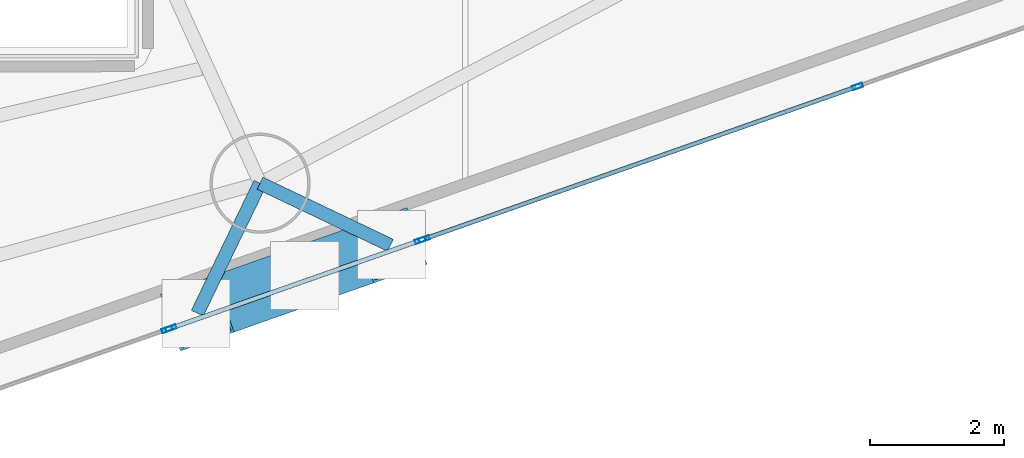
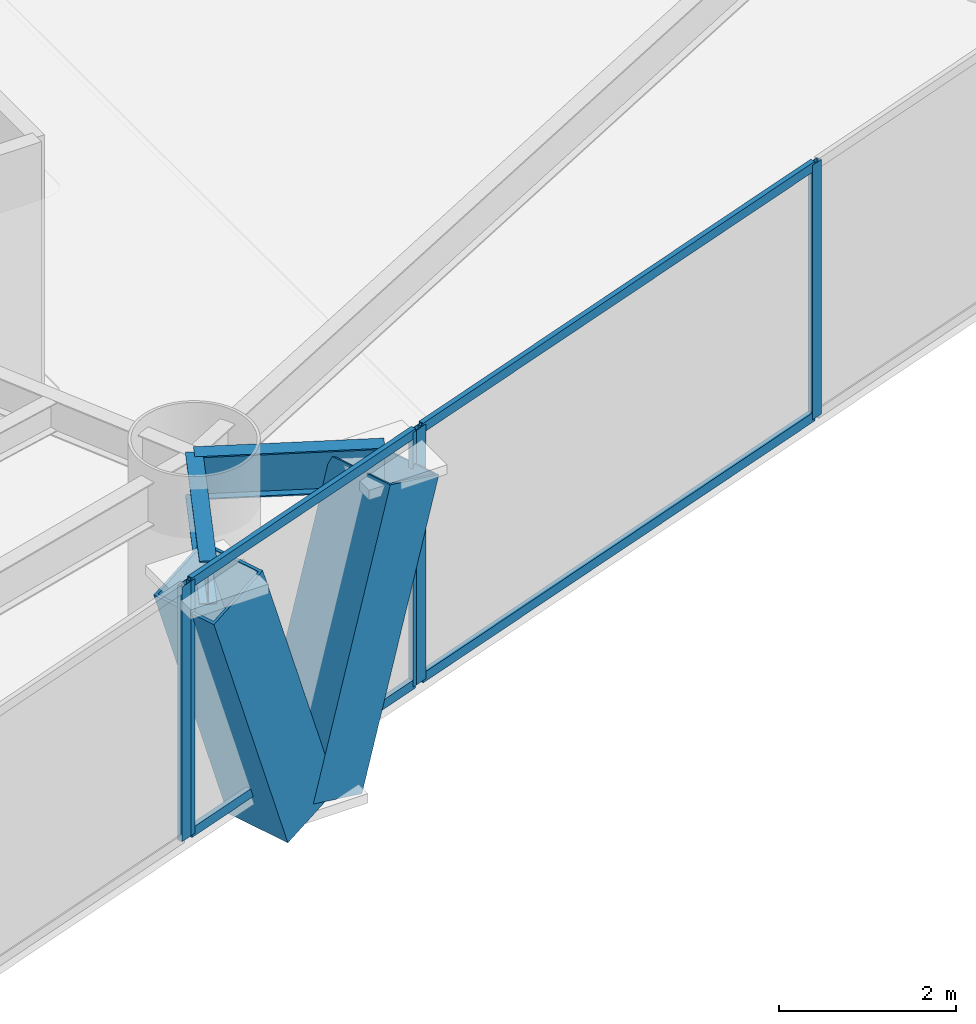
# One storey, part 4 of 19: 11 members, 2 beams, 3 elements without a shape of their own.
"""IFC4 building model written with IfcOpenShell, lengths in metres."""

import ifcopenshell
import ifcopenshell.guid

model = None  # the IFC model being written
_history = None  # IfcOwnerHistory: only IFC2X3 demands one
_inside = {}  # id of a spatial element -> (the spatial element, [elements in it])
_under = {}  # id of a project, library or spatial element -> (it, [spatial elements below it])
_declared = {}  # id of a project -> (the project, [libraries it declares])
_typed = {}  # id of a type object -> (the type object, [elements of that type])
_made_of = {}  # id of a material, layer set ... -> (it, [elements and type objects made of it])


def new_model(schema):
    """Start an empty IFC model of exactly this schema.

    Asked for "IFC4X3", IfcOpenShell would pick the latest addendum, in which some entities
    have other attributes; the version numbers below select the first issue.
    IFC2X3 requires an IfcOwnerHistory on every rooted entity: one is made here for all.
    """
    global model, _history
    if schema == "IFC4X3":
        model = ifcopenshell.file(schema_version=(4, 3, 0, 0))
    else:
        model = ifcopenshell.file(schema=schema)
    _inside.clear()
    _under.clear()
    _declared.clear()
    _typed.clear()
    _made_of.clear()
    _history = None
    if model.schema == "IFC2X3":
        org = make("IfcOrganization", Name="unknown")
        user = make(
            "IfcPersonAndOrganization",
            ThePerson=make("IfcPerson", FamilyName="unknown"),
            TheOrganization=org,
        )
        app = make(
            "IfcApplication",
            ApplicationDeveloper=org,
            Version="unknown",
            ApplicationFullName="unknown",
            ApplicationIdentifier="unknown",
        )
        _history = make(
            "IfcOwnerHistory",
            OwningUser=user,
            OwningApplication=app,
            ChangeAction="ADDED",
            CreationDate=0,
        )
    return model


def make(cls, **values):
    """One entity of the class cls with the attributes given. An attribute that is None is left unset."""
    return model.create_entity(
        cls, **{name: value for name, value in values.items() if value is not None}
    )


def rooted(cls, **values):
    """An entity with a GlobalId (a new one), such as an element, a storey or a relation."""
    return make(cls, GlobalId=ifcopenshell.guid.new(), OwnerHistory=_history, **values)


def si_unit(unit_type, name, prefix=None):
    """IfcSIUnit, for example si_unit("LENGTHUNIT", "METRE", prefix="MILLI")."""
    return make("IfcSIUnit", UnitType=unit_type, Prefix=prefix, Name=name)


def assignment(units):
    """IfcUnitAssignment: the units of a project."""
    return None if units is None else make("IfcUnitAssignment", Units=units)


def point(xyz):
    """IfcCartesianPoint."""
    return None if xyz is None else make("IfcCartesianPoint", Coordinates=xyz)


def direction(xyz):
    """IfcDirection."""
    return None if xyz is None else make("IfcDirection", DirectionRatios=xyz)


def frame(location, z_axis=None, x_axis=None):
    """IfcAxis2Placement3D, a coordinate frame: its origin and axes. An axis left out is left unset."""
    return make(
        "IfcAxis2Placement3D",
        Location=point(location),
        Axis=direction(z_axis),
        RefDirection=direction(x_axis),
    )


def frame_2d(location, x_axis=None):
    """IfcAxis2Placement2D, a coordinate frame in the plane: its origin and x axis."""
    return make(
        "IfcAxis2Placement2D", Location=point(location), RefDirection=direction(x_axis)
    )


def origin():
    """The frame at (0, 0, 0) with its axes left unset."""
    return frame((0.0, 0.0, 0.0))


def origin_2d():
    """The frame at (0, 0) in the plane with its x axis left unset."""
    return frame_2d((0.0, 0.0))


def place(relative_to, where):
    """IfcLocalPlacement: puts the frame where relative to a parent placement (None: the world)."""
    return make(
        "IfcLocalPlacement", PlacementRelTo=relative_to, RelativePlacement=where
    )


def context(
    kind, dimensions, precision=None, world=None, true_north=None, identifier=None
):
    """IfcGeometricRepresentationContext, for example the 3D "Model" context."""
    return make(
        "IfcGeometricRepresentationContext",
        ContextIdentifier=identifier,
        ContextType=kind,
        CoordinateSpaceDimension=dimensions,
        Precision=precision,
        WorldCoordinateSystem=world,
        TrueNorth=true_north,
    )


def subcontext(parent, identifier, kind, view, scale=None):
    """IfcGeometricRepresentationSubContext, for example "Body" below "Model"."""
    return make(
        "IfcGeometricRepresentationSubContext",
        ContextIdentifier=identifier,
        ContextType=kind,
        ParentContext=parent,
        TargetScale=scale,
        TargetView=view,
    )


def project(units=None, contexts=None):
    """IfcProject with its units and contexts."""
    return rooted(
        "IfcProject",
        Name="project",
        RepresentationContexts=contexts,
        UnitsInContext=assignment(units),
    )


def spatial(cls, under=None, at=None, **own):
    """A site, building, storey or space (cls), placed at a placement, below another one or the project."""
    s = rooted(cls, ObjectPlacement=at, **own)
    if under is not None:
        _under.setdefault(under.id(), (under, []))[1].append(s)
    return s


def profile(cls, at=None, kind="AREA", **sizes):
    """A parametric profile (cls). Its sizes go by their IFC names, for example OverallWidth=200.0."""
    return make(cls, ProfileType=kind, Position=at, **sizes)


def hollow_rectangle(**sizes):
    """IfcRectangleHollowProfileDef."""
    return profile("IfcRectangleHollowProfileDef", **sizes)


def i_section(**sizes):
    """IfcIShapeProfileDef."""
    return profile("IfcIShapeProfileDef", **sizes)


def extrude(swept, where, along, depth):
    """IfcExtrudedAreaSolid: the profile swept, set in the frame where, extruded along a direction by depth."""
    return make(
        "IfcExtrudedAreaSolid",
        SweptArea=swept,
        Position=where,
        ExtrudedDirection=direction(along),
        Depth=depth,
    )


def shape(context_of_items, identifier, shape_type, items):
    """IfcShapeRepresentation: the items that make up one representation, for example the "Body"."""
    return make(
        "IfcShapeRepresentation",
        ContextOfItems=context_of_items,
        RepresentationIdentifier=identifier,
        RepresentationType=shape_type,
        Items=items,
    )


def material(Name=None, Category=None):
    """IfcMaterial."""
    return make("IfcMaterial", Name=Name, Category=Category)


def layer(
    of_material, thickness, ventilated=None, Name=None, Category=None, Priority=None
):
    """IfcMaterialLayer: one layer of a wall or slab, of a material (None: an air gap)."""
    return make(
        "IfcMaterialLayer",
        Material=of_material,
        LayerThickness=thickness,
        IsVentilated=ventilated,
        Name=Name,
        Category=Category,
        Priority=Priority,
    )


def layer_set(layers, Name=None):
    """IfcMaterialLayerSet."""
    return make("IfcMaterialLayerSet", MaterialLayers=layers, LayerSetName=Name)


def material_profile(
    of_material, cross_section, Name=None, Category=None, Priority=None
):
    """IfcMaterialProfile: a cross section and its material."""
    return make(
        "IfcMaterialProfile",
        Name=Name,
        Material=of_material,
        Profile=cross_section,
        Priority=Priority,
        Category=Category,
    )


def profile_set(profiles, Name=None, composite=None):
    """IfcMaterialProfileSet."""
    return make(
        "IfcMaterialProfileSet",
        Name=Name,
        MaterialProfiles=profiles,
        CompositeProfile=composite,
    )


def made_of(thing, what):
    """Note that an element or type object is made of a material, layer set ...; save() writes the relation."""
    if what is not None:
        _made_of.setdefault(what.id(), (what, []))[1].append(thing)
    return thing


def type_object(cls, material=None, **own):
    """A type object (cls), such as IfcWallType, which elements share."""
    return made_of(rooted(cls, **own), material)


def element(
    cls,
    number,
    at=None,
    inside=None,
    cuts=None,
    type_object=None,
    material=None,
    context=None,
    identifier="Body",
    shape_type=None,
    held_by="IfcProductDefinitionShape",
    body=None,
    shapes=None,
    **own,
):
    """One element of the class cls, such as IfcWall. Its Tag is "e" and its number.

    at: its placement. inside: the storey or other place that contains it. cuts: it is an
    opening in that element (IfcRelVoidsElement). A single representation is given by context,
    identifier, shape_type and body (its items); several are given by shapes. held_by: the class
    of the entity that holds the representations. save() writes the other relations.
    """
    e = rooted(cls, Tag="e%d" % number, ObjectPlacement=at, **own)
    if body is not None:
        shapes = [shape(context, identifier, shape_type, body)]
    if shapes is not None:
        e.Representation = make(held_by, Representations=shapes)
    if inside is not None:
        _inside.setdefault(inside.id(), (inside, []))[1].append(e)
    if cuts is not None:
        rooted(
            "IfcRelVoidsElement", RelatingBuildingElement=cuts, RelatedOpeningElement=e
        )
    if type_object is not None:
        _typed.setdefault(type_object.id(), (type_object, []))[1].append(e)
    return made_of(e, material)


def aggregate(whole, parts):
    """IfcRelAggregates: a whole, such as a stair, and the parts it consists of."""
    return rooted("IfcRelAggregates", RelatingObject=whole, RelatedObjects=parts)


def save(model, path):
    """Write the relations noted so far, then the file.

    IfcRelAggregates (storeys below a building ...), IfcRelContainedInSpatialStructure (elements
    in a storey), IfcRelDefinesByType, IfcRelAssociatesMaterial and IfcRelDeclares: one each for
    every whole, place, type object, material and project.
    """
    for whole, parts in _under.values():
        aggregate(whole, parts)
    for where, things in _inside.values():
        rooted(
            "IfcRelContainedInSpatialStructure",
            RelatedElements=things,
            RelatingStructure=where,
        )
    for kind, things in _typed.values():
        rooted("IfcRelDefinesByType", RelatedObjects=things, RelatingType=kind)
    for what, things in _made_of.values():
        rooted("IfcRelAssociatesMaterial", RelatedObjects=things, RelatingMaterial=what)
    for by, libraries in _declared.values():
        rooted("IfcRelDeclares", RelatingContext=by, RelatedDefinitions=libraries)
    model.write(path)


model = new_model("IFC4")

# Units and contexts
model_context = context("Model", 3, precision=1e-05, world=origin(), true_north=direction((0.0, 1.0)))
body_context = subcontext(model_context, "Body", "Model", "MODEL_VIEW")
ifc_project = project(units=[si_unit("LENGTHUNIT", "METRE"), si_unit("AREAUNIT", "SQUARE_METRE"), si_unit("VOLUMEUNIT", "CUBIC_METRE"), si_unit("PLANEANGLEUNIT", "RADIAN"), si_unit("MASSUNIT", "GRAM", prefix="KILO")], contexts=[model_context])

# Site, building, storey
site_placement = place(None, origin())
site = spatial("IfcSite", under=ifc_project, at=site_placement, CompositionType="ELEMENT")
building_placement = place(site_placement, origin())
building = spatial("IfcBuilding", under=site, at=building_placement, Name="Qianvela Tower", CompositionType="ELEMENT")
storey_placement = place(building_placement, frame((0.0, 0.0, 123.699951171875)))
storey = spatial("IfcBuildingStorey", under=building, at=storey_placement, Name="L31", CompositionType="ELEMENT", Elevation=123.699951171875)

# Beams
ifc_material_1 = material(Name="Steel Q355B", Category="steel")
ifc_material_profile_1 = material_profile(ifc_material_1, i_section(OverallWidth=0.199951171875, OverallDepth=0.60009765625, WebThickness=0.010986328125, FlangeThickness=0.01708984375, at=origin_2d()), Name="HN600x200x11x17")
ifc_profile_set_1 = profile_set([ifc_material_profile_1], Name="Steel Q355B")
beam_type = type_object("IfcBeamType", Name="BM-HN600-GIRD", PredefinedType="BEAM", material=ifc_profile_set_1)
beam_1_placement = place(storey_placement, frame((41.988037109375, 15.95703125, 3.218017578125), z_axis=(-0.43452168461, -0.900661371218, 0.0), x_axis=(0.900661371218, -0.43452168461, 0.0)))
element("IfcBeam", 1, at=beam_1_placement, inside=storey, type_object=beam_type, Name="L31 Mega-Brace Column Tie Bracket F3-1", PredefinedType="BEAM", context=body_context, shape_type="SweptSolid", body=[
    extrude(i_section(OverallWidth=0.199951171875, OverallDepth=0.60009765625, WebThickness=0.010986328125, FlangeThickness=0.01708984375, at=origin_2d()), origin(), (0.0, 0.0, 1.0), 2.162109375),
])
beam_2_placement = place(storey_placement, frame((41.988037109375, 15.95703125, 3.218017578125), z_axis=(0.902866780961, -0.429920429658, 0.0), x_axis=(0.429920429658, 0.902866780961, 0.0)))
element("IfcBeam", 2, at=beam_2_placement, inside=storey, type_object=beam_type, Name="L31 Mega-Brace Column Tie Bracket F3-2", PredefinedType="BEAM", context=body_context, shape_type="SweptSolid", body=[
    extrude(i_section(OverallWidth=0.199951171875, OverallDepth=0.60009765625, WebThickness=0.010986328125, FlangeThickness=0.01708984375, at=origin_2d()), origin(), (0.0, 0.0, 1.0), 2.161865234375),
])

# Curtain wall, members
ifc_material_2 = material(Name="Anodised Architectural Aluminium and Insulated Spandrel Panel", Category="aluminium")
ifc_layer_1 = layer(ifc_material_2, 0.179931640625)
ifc_layer_set_1 = layer_set([ifc_layer_1], Name="Anodised Architectural Aluminium and Insulated Spandrel Panel")
curtain_wall_type_1 = type_object("IfcCurtainWallType", Name="CW-BRACEBAY", PredefinedType="USERDEFINED", material=ifc_layer_set_1)
curtain_wall_1_placement = place(storey_placement, origin())
curtain_wall_1 = element("IfcCurtainWall", 3, at=curtain_wall_1_placement, inside=storey, type_object=curtain_wall_type_1, Name="L31 CW-BRACEBAY Curtain Wall 06B", ObjectType="CURTAIN_WALL_SYSTEM", PredefinedType="USERDEFINED")
ifc_material_3 = material(Name="Anodised Architectural Aluminium 6063-T6", Category="aluminium")
ifc_material_profile_2 = material_profile(ifc_material_3, hollow_rectangle(XDim=0.06494140625, YDim=0.159912109375, WallThickness=0.0048828125, at=origin_2d()), Name="ALU-MULL-65x160")
ifc_profile_set_2 = profile_set([ifc_material_profile_2], Name="Anodised Architectural Aluminium 6063-T6")
member_type_1 = type_object("IfcMemberType", Name="CW-BRACEBAY-MULL", PredefinedType="MULLION", material=ifc_profile_set_2)
member_1_placement = place(storey_placement, frame((40.65576171875, 13.786865234375, 0.0), z_axis=(0.0, 0.0, 1.0), x_axis=(-0.332041890074, 0.943264641146, 0.0)))
member_1 = element("IfcMember", 4, at=member_1_placement, type_object=member_type_1, Name="CW-9 mullion 1", PredefinedType="MULLION", context=body_context, shape_type="SweptSolid", body=[
    extrude(hollow_rectangle(XDim=0.06494140625, YDim=0.159912109375, WallThickness=0.0048828125, at=origin_2d()), origin(), (0.0, 0.0, 1.0), 3.52001953125),
])
member_2_placement = place(storey_placement, frame((44.386474609375, 15.10009765625, 0.0), z_axis=(0.0, 0.0, 1.0), x_axis=(-0.332041890074, 0.943264641146, 0.0)))
member_2 = element("IfcMember", 5, at=member_2_placement, type_object=member_type_1, Name="CW-9 mullion 2", PredefinedType="MULLION", context=body_context, shape_type="SweptSolid", body=[
    extrude(hollow_rectangle(XDim=0.06494140625, YDim=0.159912109375, WallThickness=0.0048828125, at=origin_2d()), origin(), (0.0, 0.0, 1.0), 3.52001953125),
])
ifc_material_4 = material(Name="Anodised Architectural Aluminium 6063-T6", Category="aluminium")
ifc_material_profile_3 = material_profile(ifc_material_4, hollow_rectangle(XDim=0.06494140625, YDim=0.1298828125, WallThickness=0.00439453125, at=origin_2d()), Name="ALU-TRAN-65x130")
ifc_profile_set_3 = profile_set([ifc_material_profile_3], Name="Anodised Architectural Aluminium 6063-T6")
member_type_2 = type_object("IfcMemberType", Name="CW-BRACEBAY-TRAN", PredefinedType="USERDEFINED", material=ifc_profile_set_3)
member_3_placement = place(storey_placement, frame((40.6865234375, 13.797607421875, 0.032470703125), z_axis=(0.943272718792, 0.332018942206, 0.0), x_axis=(-0.332018942206, 0.943272718792, 0.0)))
member_3 = element("IfcMember", 6, at=member_3_placement, type_object=member_type_2, Name="CW-9 transom 1.1", ObjectType="TRANSOM", PredefinedType="USERDEFINED", context=body_context, shape_type="SweptSolid", body=[
    extrude(hollow_rectangle(XDim=0.06494140625, YDim=0.1298828125, WallThickness=0.00439453125, at=origin_2d()), origin(), (0.0, 0.0, 1.0), 3.889892578125),
])
member_4_placement = place(storey_placement, frame((40.6865234375, 13.797607421875, 3.487548828125), z_axis=(0.943272718792, 0.332018942206, 0.0), x_axis=(-0.332018942206, 0.943272718792, 0.0)))
member_4 = element("IfcMember", 7, at=member_4_placement, type_object=member_type_2, Name="CW-9 transom 1.2", ObjectType="TRANSOM", PredefinedType="USERDEFINED", context=body_context, shape_type="SweptSolid", body=[
    extrude(hollow_rectangle(XDim=0.06494140625, YDim=0.1298828125, WallThickness=0.00439453125, at=origin_2d()), origin(), (0.0, 0.0, 1.0), 3.889892578125),
])
aggregate(curtain_wall_1, [member_1, member_2, member_3, member_4])

# Curtain wall, member
ifc_material_5 = material(Name="Anodised Architectural Aluminium and Low-E Glass", Category="aluminium")
ifc_layer_2 = layer(ifc_material_5, 0.169921875)
ifc_layer_set_2 = layer_set([ifc_layer_2], Name="Anodised Architectural Aluminium and Low-E Glass")
curtain_wall_type_2 = type_object("IfcCurtainWallType", Name="CW-COLIV-Z34", PredefinedType="USERDEFINED", material=ifc_layer_set_2)
curtain_wall_2_placement = place(storey_placement, origin())
curtain_wall_2 = element("IfcCurtainWall", 8, at=curtain_wall_2_placement, inside=storey, type_object=curtain_wall_type_2, Name="L31 CW-COLIV-Z34 Curtain Wall 06A", ObjectType="CURTAIN_WALL_SYSTEM", PredefinedType="USERDEFINED")
ifc_material_6 = material(Name="Anodised Architectural Aluminium 6063-T6", Category="aluminium")
ifc_material_profile_4 = material_profile(ifc_material_6, hollow_rectangle(XDim=0.06494140625, YDim=0.159912109375, WallThickness=0.0048828125, at=origin_2d()), Name="ALU-MULL-65x160")
ifc_profile_set_4 = profile_set([ifc_material_profile_4], Name="Anodised Architectural Aluminium 6063-T6")
member_type_3 = type_object("IfcMemberType", Name="CW-COLIV-Z34-MULL", PredefinedType="MULLION", material=ifc_profile_set_4)
member_5_placement = place(storey_placement, frame((40.594482421875, 13.76513671875, 0.0), z_axis=(0.0, 0.0, 1.0), x_axis=(-0.332050299696, 0.943261680803, 0.0)))
member_5 = element("IfcMember", 9, at=member_5_placement, type_object=member_type_3, Name="CW-4 mullion 3", PredefinedType="MULLION", context=body_context, shape_type="SweptSolid", body=[
    extrude(hollow_rectangle(XDim=0.06494140625, YDim=0.159912109375, WallThickness=0.0048828125, at=origin_2d()), origin(), (0.0, 0.0, 1.0), 3.52001953125),
])
aggregate(curtain_wall_2, [member_5])

# Curtain wall, members
curtain_wall_3_placement = place(storey_placement, origin())
curtain_wall_3 = element("IfcCurtainWall", 10, at=curtain_wall_3_placement, inside=storey, type_object=curtain_wall_type_2, Name="L31 CW-COLIV-Z34 Curtain Wall 06C", ObjectType="CURTAIN_WALL_SYSTEM", PredefinedType="USERDEFINED")
member_6_placement = place(storey_placement, frame((44.44775390625, 15.12158203125, 0.0), z_axis=(0.0, 0.0, 1.0), x_axis=(-0.332046723019, 0.94326293987, 0.0)))
member_6 = element("IfcMember", 11, at=member_6_placement, type_object=member_type_3, Name="CW-4 mullion 1", PredefinedType="MULLION", context=body_context, shape_type="SweptSolid", body=[
    extrude(hollow_rectangle(XDim=0.06494140625, YDim=0.159912109375, WallThickness=0.0048828125, at=origin_2d()), origin(), (0.0, 0.0, 1.0), 3.52001953125),
])
member_7_placement = place(storey_placement, frame((50.93798828125, 17.40625, 0.0), z_axis=(0.0, 0.0, 1.0), x_axis=(-0.332046723019, 0.94326293987, 0.0)))
member_7 = element("IfcMember", 12, at=member_7_placement, type_object=member_type_3, Name="CW-4 mullion 2", PredefinedType="MULLION", context=body_context, shape_type="SweptSolid", body=[
    extrude(hollow_rectangle(XDim=0.06494140625, YDim=0.159912109375, WallThickness=0.0048828125, at=origin_2d()), origin(), (0.0, 0.0, 1.0), 3.52001953125),
])
ifc_material_7 = material(Name="Anodised Architectural Aluminium 6063-T6", Category="aluminium")
ifc_material_profile_5 = material_profile(ifc_material_7, hollow_rectangle(XDim=0.06494140625, YDim=0.1298828125, WallThickness=0.00439453125, at=origin_2d()), Name="ALU-TRAN-65x130")
ifc_profile_set_5 = profile_set([ifc_material_profile_5], Name="Anodised Architectural Aluminium 6063-T6")
member_type_4 = type_object("IfcMemberType", Name="CW-COLIV-Z34-TRAN", PredefinedType="USERDEFINED", material=ifc_profile_set_5)
member_8_placement = place(storey_placement, frame((44.478515625, 15.13232421875, 0.032470703125), z_axis=(0.943259834345, 0.33205554492, 0.0), x_axis=(-0.33205554492, 0.943259834345, 0.0)))
member_8 = element("IfcMember", 13, at=member_8_placement, type_object=member_type_4, Name="CW-4 transom 1.1", ObjectType="TRANSOM", PredefinedType="USERDEFINED", context=body_context, shape_type="SweptSolid", body=[
    extrude(hollow_rectangle(XDim=0.06494140625, YDim=0.1298828125, WallThickness=0.00439453125, at=origin_2d()), origin(), (0.0, 0.0, 1.0), 6.815673828125),
])
member_9_placement = place(storey_placement, frame((44.478515625, 15.13232421875, 3.487548828125), z_axis=(0.943259834345, 0.33205554492, 0.0), x_axis=(-0.33205554492, 0.943259834345, 0.0)))
member_9 = element("IfcMember", 14, at=member_9_placement, type_object=member_type_4, Name="CW-4 transom 1.2", ObjectType="TRANSOM", PredefinedType="USERDEFINED", context=body_context, shape_type="SweptSolid", body=[
    extrude(hollow_rectangle(XDim=0.06494140625, YDim=0.1298828125, WallThickness=0.00439453125, at=origin_2d()), origin(), (0.0, 0.0, 1.0), 6.815673828125),
])
aggregate(curtain_wall_3, [member_6, member_7, member_8, member_9])

# Members
ifc_material_8 = material(Name="Steel Q420GJC", Category="steel")
ifc_material_profile_6 = material_profile(ifc_material_8, hollow_rectangle(XDim=0.89990234375, YDim=0.89990234375, WallThickness=0.035888671875, at=origin_2d()), Name="MBOX-900x900x36")
ifc_profile_set_6 = profile_set([ifc_material_profile_6], Name="Steel Q420GJC")
member_type_5 = type_object("IfcMemberType", Name="MBR-MBRACE-900", PredefinedType="BRACE", material=ifc_profile_set_6)
member_10_placement = place(storey_placement, frame((42.26171875, 14.43701171875, -0.48193359375), z_axis=(-0.309700237938, -0.109071325496, 0.944557678798), x_axis=(0.332184584009, -0.943214398823, 0.0)))
element("IfcMember", 15, at=member_10_placement, inside=storey, type_object=member_type_5, Name="L31 Tier 5 Exterior Mega-Brace F3A", PredefinedType="BRACE", context=body_context, shape_type="SweptSolid", body=[
    extrude(hollow_rectangle(XDim=0.89990234375, YDim=0.89990234375, WallThickness=0.035888671875, at=origin_2d()), origin(), (0.0, 0.0, 1.0), 3.917236328125),
])
member_11_placement = place(storey_placement, frame((42.6767578125, 14.5830078125, -0.48193359375), z_axis=(0.321025847132, 0.11298571079, 0.940306670523), x_axis=(-0.331990328639, 0.943282789883, 0.0)))
element("IfcMember", 16, at=member_11_placement, inside=storey, type_object=member_type_5, Name="L31 Tier 5 Exterior Mega-Brace F3B", PredefinedType="BRACE", context=body_context, shape_type="SweptSolid", body=[
    extrude(hollow_rectangle(XDim=0.89990234375, YDim=0.89990234375, WallThickness=0.035888671875, at=origin_2d()), origin(), (0.0, 0.0, 1.0), 3.934814453125),
])

save(model, "model.ifc")
